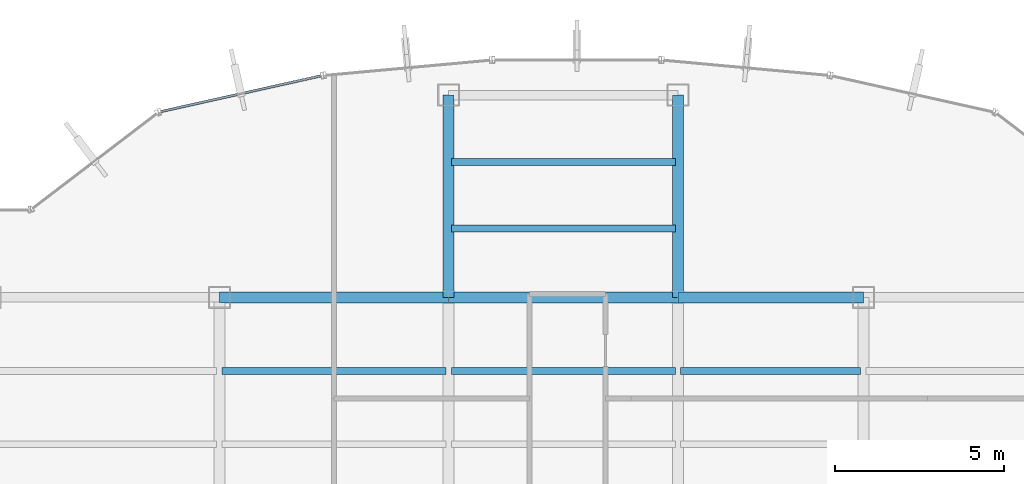
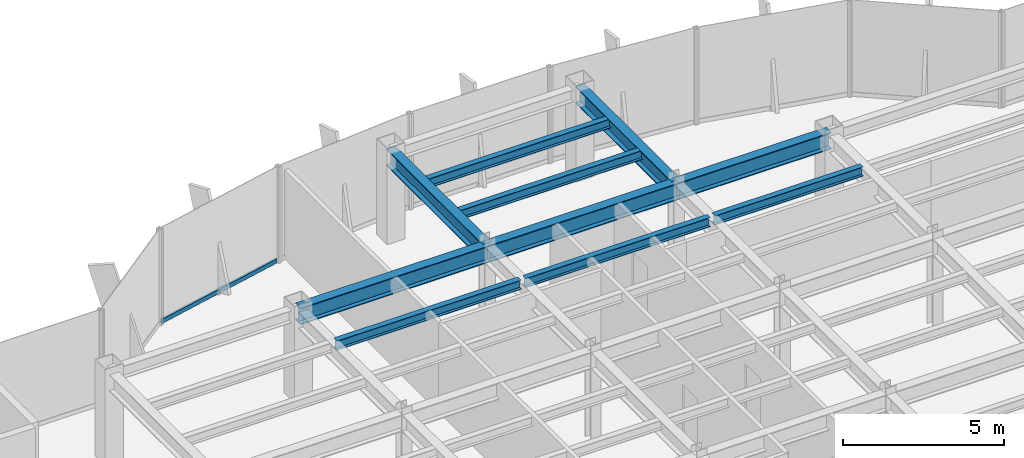
# One storey, part 15 of 25: 10 beams, 1 member, 1 element without a shape of its own.
"""IFC4 building model written with IfcOpenShell, lengths in metres."""

from ifc_helpers import new_model, si_unit, derived_unit, direction, frame, origin, origin_2d, place, context, subcontext, project, spatial, hollow_rectangle, i_section, extrude, source, transform, mapped, material, material_profile, profile_set, type_object, element, aggregate, save


model = new_model("IFC4")

# Units and contexts
model_context = context("Model", 3, precision=1e-05, world=origin(), true_north=direction((0.0, 1.0)))
body_context = subcontext(model_context, "Body", "Model", "MODEL_VIEW")
ifc_project = project(units=[si_unit("LENGTHUNIT", "METRE"), si_unit("AREAUNIT", "SQUARE_METRE"), si_unit("VOLUMEUNIT", "CUBIC_METRE"), si_unit("PLANEANGLEUNIT", "RADIAN"), si_unit("MASSUNIT", "GRAM", prefix="KILO"), derived_unit("THERMALTRANSMITTANCEUNIT", [(si_unit("POWERUNIT", "WATT"), 1), (si_unit("LENGTHUNIT", "METRE"), -2), (si_unit("THERMODYNAMICTEMPERATUREUNIT", "KELVIN"), -1)])], contexts=[model_context])

# Site, building, storey
site_placement = place(None, origin())
site = spatial("IfcSite", under=ifc_project, at=site_placement, CompositionType="ELEMENT")
building_placement = place(site_placement, origin())
building = spatial("IfcBuilding", under=site, at=building_placement, Name="Skarnbrae Concourse Arena and Tower", CompositionType="ELEMENT")
storey_placement = place(building_placement, frame((0.0, 0.0, 177.10009765625)))
storey = spatial("IfcBuildingStorey", under=building, at=storey_placement, Name="L45", CompositionType="ELEMENT", Elevation=177.10009765625)

# Beams
ifc_material_1 = material(Name="Steel CSA G40.21 350W", Category="steel")
ifc_material_profile_1 = material_profile(ifc_material_1, i_section(OverallWidth=0.3291015625, OverallDepth=0.635009765625, WebThickness=0.017822265625, FlangeThickness=0.031005859375, at=origin_2d()), Name="W610X241")
ifc_profile_set_1 = profile_set([ifc_material_profile_1], Name="Steel CSA G40.21 350W")
beam_type_1 = type_object("IfcBeamType", Name="BM-GIRD-W610X241", PredefinedType="BEAM", material=ifc_profile_set_1)
shared_shape_1 = source(origin(), body_context, "Body", "SweptSolid", [
    extrude(i_section(OverallWidth=0.3291015625, OverallDepth=0.635009765625, WebThickness=0.017822265625, FlangeThickness=0.031005859375, at=origin_2d()), origin(), (0.0, 0.0, 1.0), 6.800048828125),
])
for number, where, z_axis, x_axis, name in (
    (1, (14.39990234375, 34.39990234375, 3.08251953125), (1.0, 0.0, 0.0), (0.0, 1.0, 0.0), "L45 Primary E-W girder Y34.4-2"),
    (2, (21.199951171875, 34.39990234375, 3.08251953125), (1.0, 0.0, 0.0), (0.0, 1.0, 0.0), "L45 Primary E-W girder Y34.4-3"),
):
    element("IfcBeam", number, at=place(storey_placement, frame(where, z_axis=z_axis, x_axis=x_axis)), inside=storey, type_object=beam_type_1, Name=name, PredefinedType="BEAM", context=body_context, shape_type="MappedRepresentation", body=[
        mapped(shared_shape_1, transform((0.0, 0.0, 0.0))),
    ])
shared_shape_2 = source(origin(), body_context, "Body", "SweptSolid", [
    extrude(i_section(OverallWidth=0.3291015625, OverallDepth=0.635009765625, WebThickness=0.017822265625, FlangeThickness=0.031005859375, at=origin_2d()), origin(), (0.0, 0.0, 1.0), 5.5),
])
beam_1_placement = place(storey_placement, frame((28.0, 34.39990234375, 3.08251953125), z_axis=(1.0, 0.0, 0.0), x_axis=(0.0, 1.0, 0.0)))
element("IfcBeam", 3, at=beam_1_placement, inside=storey, type_object=beam_type_1, Name="L45 Primary E-W girder Y34.4-4", PredefinedType="BEAM", context=body_context, shape_type="MappedRepresentation", body=[
    mapped(shared_shape_2, transform((0.0, 0.0, 0.0))),
])
shared_shape_3 = source(origin(), body_context, "Body", "SweptSolid", [
    extrude(i_section(OverallWidth=0.3291015625, OverallDepth=0.635009765625, WebThickness=0.017822265625, FlangeThickness=0.031005859375, at=origin_2d()), origin(), (0.0, 0.0, 1.0), 6.0),
])
for number, where, z_axis, x_axis, name in (
    (4, (21.199951171875, 34.39990234375, 3.08251953125), (0.0, 1.0, 0.0), (-1.0, 0.0, 0.0), "L45 Primary N-S girder X21.2-4"),
    (5, (28.0, 34.39990234375, 3.08251953125), (0.0, 1.0, 0.0), (-1.0, 0.0, 0.0), "L45 Primary N-S girder X28.0-4"),
):
    element("IfcBeam", number, at=place(storey_placement, frame(where, z_axis=z_axis, x_axis=x_axis)), inside=storey, type_object=beam_type_1, Name=name, PredefinedType="BEAM", context=body_context, shape_type="MappedRepresentation", body=[
        mapped(shared_shape_3, transform((0.0, 0.0, 0.0))),
    ])
ifc_material_profile_2 = material_profile(ifc_material_1, i_section(OverallWidth=0.205078125, OverallDepth=0.35400390625, WebThickness=0.009521484375, FlangeThickness=0.016845703125, at=origin_2d()), Name="W360X79")
ifc_profile_set_2 = profile_set([ifc_material_profile_2], Name="Steel CSA G40.21 350W")
beam_type_2 = type_object("IfcBeamType", Name="BM-JOIST-W360X79", PredefinedType="JOIST", material=ifc_profile_set_2)
shared_shape_4 = source(origin(), body_context, "Body", "SweptSolid", [
    extrude(i_section(OverallWidth=0.205078125, OverallDepth=0.35400390625, WebThickness=0.009521484375, FlangeThickness=0.016845703125, at=origin_2d()), origin(), (0.0, 0.0, 1.0), 6.64013671875),
])
beam_2_placement = place(storey_placement, frame((14.47998046875, 32.221923828125, 3.222900390625), z_axis=(1.0, 0.0, 0.0), x_axis=(0.0, 1.0, 0.0)))
element("IfcBeam", 6, at=beam_2_placement, inside=storey, type_object=beam_type_2, Name="L45 Secondary floor joist 3.2.2", PredefinedType="JOIST", context=body_context, shape_type="MappedRepresentation", body=[
    mapped(shared_shape_4, transform((0.0, 0.0, 0.0))),
])
shared_shape_5 = source(origin(), body_context, "Body", "SweptSolid", [
    extrude(i_section(OverallWidth=0.205078125, OverallDepth=0.35400390625, WebThickness=0.009521484375, FlangeThickness=0.016845703125, at=origin_2d()), origin(), (0.0, 0.0, 1.0), 6.639892578125),
])
for number, where, z_axis, x_axis, name in (
    (7, (21.280029296875, 32.221923828125, 3.222900390625), (1.0, 0.0, 0.0), (0.0, 1.0, 0.0), "L45 Secondary floor joist 3.2.3"),
    (8, (21.280029296875, 36.43994140625, 3.222900390625), (1.0, 0.0, 0.0), (0.0, 1.0, 0.0), "L45 Secondary floor joist 4.1.1"),
    (9, (21.280029296875, 38.419921875, 3.222900390625), (1.0, 0.0, 0.0), (0.0, 1.0, 0.0), "L45 Secondary floor joist 4.2.1"),
):
    element("IfcBeam", number, at=place(storey_placement, frame(where, z_axis=z_axis, x_axis=x_axis)), inside=storey, type_object=beam_type_2, Name=name, PredefinedType="JOIST", context=body_context, shape_type="MappedRepresentation", body=[
        mapped(shared_shape_5, transform((0.0, 0.0, 0.0))),
    ])
shared_shape_6 = source(origin(), body_context, "Body", "SweptSolid", [
    extrude(i_section(OverallWidth=0.205078125, OverallDepth=0.35400390625, WebThickness=0.009521484375, FlangeThickness=0.016845703125, at=origin_2d()), origin(), (0.0, 0.0, 1.0), 5.33984375),
])
beam_3_placement = place(storey_placement, frame((28.080078125, 32.221923828125, 3.222900390625), z_axis=(1.0, 0.0, 0.0), x_axis=(0.0, 1.0, 0.0)))
element("IfcBeam", 10, at=beam_3_placement, inside=storey, type_object=beam_type_2, Name="L45 Secondary floor joist 3.2.4", PredefinedType="JOIST", context=body_context, shape_type="MappedRepresentation", body=[
    mapped(shared_shape_6, transform((0.0, 0.0, 0.0))),
])

# Curtain wall, member
ifc_material_2 = material(Name="Bronze anodised aluminium 6063-T6", Category="aluminium")
curtain_wall_type = type_object("IfcCurtainWallType", Name="CW-SYS-04-MIDZONE", PredefinedType="USERDEFINED", material=ifc_material_2)
curtain_wall_placement = place(storey_placement, origin())
curtain_wall = element("IfcCurtainWall", 11, at=curtain_wall_placement, inside=storey, type_object=curtain_wall_type, Name="L45 Unitised curtain wall CW-L45-E13", ObjectType="UNITISED CURTAIN WALL", PredefinedType="USERDEFINED")
ifc_material_profile_3 = material_profile(ifc_material_2, hollow_rectangle(XDim=0.074951171875, YDim=0.159912109375, WallThickness=0.00439453125, at=origin_2d()), Name="ALU-TRAN-75X160")
ifc_profile_set_3 = profile_set([ifc_material_profile_3], Name="Bronze anodised aluminium 6063-T6")
member_type = type_object("IfcMemberType", Name="CWT-CW-04", PredefinedType="USERDEFINED", material=ifc_profile_set_3)
shared_shape_7 = source(origin(), body_context, "Body", "SweptSolid", [
    extrude(hollow_rectangle(XDim=0.074951171875, YDim=0.159912109375, WallThickness=0.00439453125, at=origin_2d()), origin(), (0.0, 0.0, 1.0), 4.867919921875),
])
member_placement = place(storey_placement, frame((17.41455078125, 40.970458984375, 0.079833984375), z_axis=(-0.975944534406, -0.218018957349, 0.0), x_axis=(0.218018957349, -0.975944534406, 0.0)))
member = element("IfcMember", 12, at=member_placement, type_object=member_type, Name="CW-L45-E13 Transom 1", ObjectType="TRANSOM", PredefinedType="USERDEFINED", context=body_context, shape_type="MappedRepresentation", body=[
    mapped(shared_shape_7, transform((0.0, 0.0, 0.0))),
])
aggregate(curtain_wall, [member])

save(model, "model.ifc")
